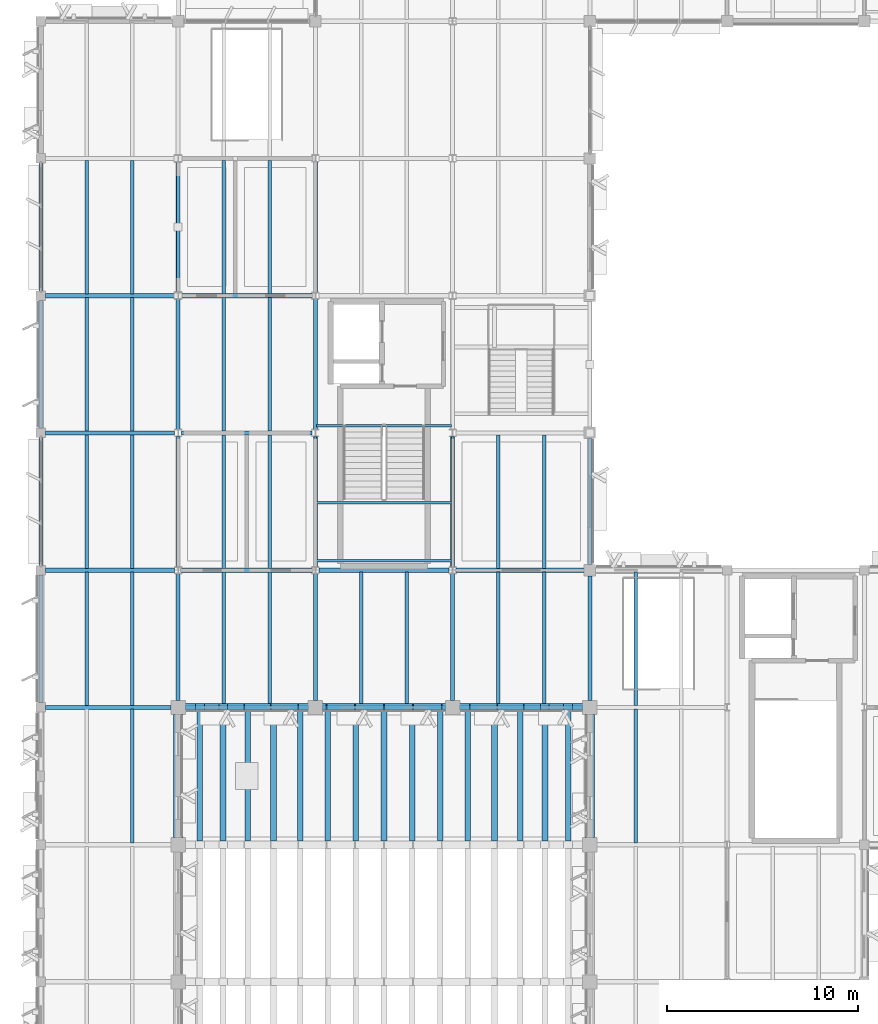
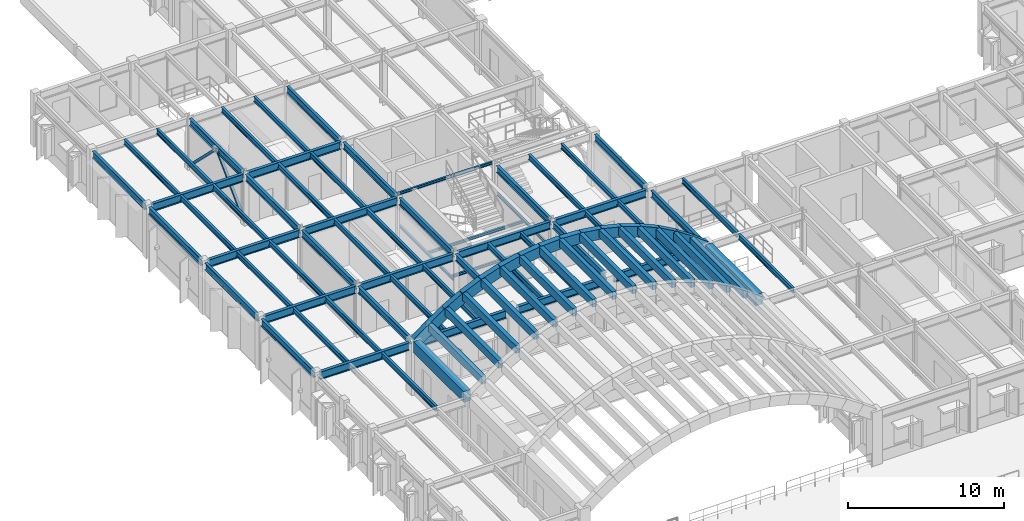
# One storey, part 16 of 85: 91 beams, 2 members.
"""IFC4 building model written with IfcOpenShell, lengths in metres."""

from ifc_helpers import new_model, si_unit, direction, frame, origin, origin_2d, place, context, subcontext, project, spatial, rectangle, hollow_rectangle, i_section, extrude, material, material_profile, profile_set, type_object, element, save


model = new_model("IFC4")

# Units and contexts
model_context = context("Model", 3, precision=1e-05, world=origin(), true_north=direction((0.0, 1.0)))
body_context = subcontext(model_context, "Body", "Model", "MODEL_VIEW")
ifc_project = project(units=[si_unit("LENGTHUNIT", "METRE"), si_unit("AREAUNIT", "SQUARE_METRE"), si_unit("VOLUMEUNIT", "CUBIC_METRE"), si_unit("PLANEANGLEUNIT", "RADIAN"), si_unit("MASSUNIT", "GRAM", prefix="KILO")], contexts=[model_context])

# Site, building, storey
site_placement = place(None, origin())
site = spatial("IfcSite", under=ifc_project, at=site_placement, CompositionType="ELEMENT")
building_placement = place(site_placement, origin())
building = spatial("IfcBuilding", under=site, at=building_placement, Name="Sillqori Civic Hall", CompositionType="ELEMENT")
storey_placement = place(building_placement, frame((0.0, 0.0, 9.89990234375)))
storey = spatial("IfcBuildingStorey", under=building, at=storey_placement, Name="L03", CompositionType="ELEMENT", Elevation=9.89990234375)

# Beams
ifc_material_1 = material(Name="Steel ASTM A992", Category="steel")
ifc_material_profile_1 = material_profile(ifc_material_1, i_section(OverallWidth=0.2099609375, OverallDepth=0.532958984375, WebThickness=0.01025390625, FlangeThickness=0.015625, FilletRadius=0.013916015625, at=origin_2d()), Name="W21X62")
ifc_profile_set_1 = profile_set([ifc_material_profile_1], Name="Steel ASTM A992")
beam_type_1 = type_object("IfcBeamType", Name="BM-W21X62", PredefinedType="BEAM", material=ifc_profile_set_1)
for number, where, z_axis, x_axis, name in (
    (1, (7.199951171875, 43.444091796875, 3.733642578125), (0.0, 1.0, 0.0), (-1.0, 0.0, 0.0), "L03 girder Y 1-6"),
    (2, (7.199951171875, 50.64404296875, 3.753662109375), (0.0, 1.0, 0.0), (-1.0, 0.0, 0.0), "L03 girder Y 1-7"),
    (3, (7.199951171875, 57.843994140625, 3.753662109375), (0.0, 1.0, 0.0), (-1.0, 0.0, 0.0), "L03 girder Y 1-8"),
):
    element("IfcBeam", number, at=place(storey_placement, frame(where, z_axis=z_axis, x_axis=x_axis)), inside=storey, type_object=beam_type_1, Name=name, PredefinedType="BEAM", context=body_context, shape_type="SweptSolid", body=[
        extrude(i_section(OverallWidth=0.2099609375, OverallDepth=0.532958984375, WebThickness=0.01025390625, FlangeThickness=0.015625, FilletRadius=0.013916015625, at=origin_2d()), origin(), (0.0, 0.0, 1.0), 6.7119140625),
    ])
beam_1_placement = place(storey_placement, frame((7.199951171875, 65.0439453125, 3.753662109375), z_axis=(0.0, 1.0, 0.0), x_axis=(-1.0, 0.0, 0.0)))
element("IfcBeam", 4, at=beam_1_placement, inside=storey, type_object=beam_type_1, Name="L03 girder Y 1-9", PredefinedType="BEAM", context=body_context, shape_type="SweptSolid", body=[
    extrude(i_section(OverallWidth=0.2099609375, OverallDepth=0.532958984375, WebThickness=0.01025390625, FlangeThickness=0.015625, FilletRadius=0.013916015625, at=origin_2d()), origin(), (0.0, 0.0, 1.0), 6.712158203125),
])
beam_2_placement = place(storey_placement, frame((14.39990234375, 43.569091796875, 3.733642578125), z_axis=(0.0, 1.0, 0.0), x_axis=(-1.0, 0.0, 0.0)))
element("IfcBeam", 5, at=beam_2_placement, inside=storey, type_object=beam_type_1, Name="L03 girder Y 2-6", PredefinedType="BEAM", context=body_context, shape_type="SweptSolid", body=[
    extrude(i_section(OverallWidth=0.2099609375, OverallDepth=0.532958984375, WebThickness=0.01025390625, FlangeThickness=0.015625, FilletRadius=0.013916015625, at=origin_2d()), origin(), (0.0, 0.0, 1.0), 6.65283203125),
])
beam_3_placement = place(storey_placement, frame((14.39990234375, 50.577880859375, 3.753662109375), z_axis=(0.0, 1.0, 0.0), x_axis=(-1.0, 0.0, 0.0)))
element("IfcBeam", 6, at=beam_3_placement, inside=storey, type_object=beam_type_1, Name="L03 girder Y 2-7", PredefinedType="BEAM", context=body_context, shape_type="SweptSolid", body=[
    extrude(i_section(OverallWidth=0.2099609375, OverallDepth=0.532958984375, WebThickness=0.01025390625, FlangeThickness=0.015625, FilletRadius=0.013916015625, at=origin_2d()), origin(), (0.0, 0.0, 1.0), 6.84423828125),
])
for number, where, z_axis, x_axis, name in (
    (7, (14.39990234375, 57.778076171875, 3.753662109375), (0.0, 1.0, 0.0), (-1.0, 0.0, 0.0), "L03 girder Y 2-8"),
    (8, (14.39990234375, 64.97802734375, 3.753662109375), (0.0, 1.0, 0.0), (-1.0, 0.0, 0.0), "L03 girder Y 2-9"),
):
    element("IfcBeam", number, at=place(storey_placement, frame(where, z_axis=z_axis, x_axis=x_axis)), inside=storey, type_object=beam_type_1, Name=name, PredefinedType="BEAM", context=body_context, shape_type="SweptSolid", body=[
        extrude(i_section(OverallWidth=0.2099609375, OverallDepth=0.532958984375, WebThickness=0.01025390625, FlangeThickness=0.015625, FilletRadius=0.013916015625, at=origin_2d()), origin(), (0.0, 0.0, 1.0), 6.843994140625),
    ])
beam_4_placement = place(storey_placement, frame((21.60009765625, 43.569091796875, 3.733642578125), z_axis=(0.0, 1.0, 0.0), x_axis=(-1.0, 0.0, 0.0)))
element("IfcBeam", 9, at=beam_4_placement, inside=storey, type_object=beam_type_1, Name="L03 girder Y 3-6", PredefinedType="BEAM", context=body_context, shape_type="SweptSolid", body=[
    extrude(i_section(OverallWidth=0.2099609375, OverallDepth=0.532958984375, WebThickness=0.01025390625, FlangeThickness=0.015625, FilletRadius=0.013916015625, at=origin_2d()), origin(), (0.0, 0.0, 1.0), 6.65283203125),
])
beam_5_placement = place(storey_placement, frame((21.60009765625, 50.577880859375, 3.753662109375), z_axis=(0.0, 1.0, 0.0), x_axis=(-1.0, 0.0, 0.0)))
element("IfcBeam", 10, at=beam_5_placement, inside=storey, type_object=beam_type_1, Name="L03 girder Y 3-7", PredefinedType="BEAM", context=body_context, shape_type="SweptSolid", body=[
    extrude(i_section(OverallWidth=0.2099609375, OverallDepth=0.532958984375, WebThickness=0.01025390625, FlangeThickness=0.015625, FilletRadius=0.013916015625, at=origin_2d()), origin(), (0.0, 0.0, 1.0), 6.84423828125),
])
for number, where, z_axis, x_axis, name in (
    (11, (21.60009765625, 57.778076171875, 3.753662109375), (0.0, 1.0, 0.0), (-1.0, 0.0, 0.0), "L03 girder Y 3-8"),
    (12, (21.60009765625, 64.97802734375, 3.753662109375), (0.0, 1.0, 0.0), (-1.0, 0.0, 0.0), "L03 girder Y 3-9"),
):
    element("IfcBeam", number, at=place(storey_placement, frame(where, z_axis=z_axis, x_axis=x_axis)), inside=storey, type_object=beam_type_1, Name=name, PredefinedType="BEAM", context=body_context, shape_type="SweptSolid", body=[
        extrude(i_section(OverallWidth=0.2099609375, OverallDepth=0.532958984375, WebThickness=0.01025390625, FlangeThickness=0.015625, FilletRadius=0.013916015625, at=origin_2d()), origin(), (0.0, 0.0, 1.0), 6.843994140625),
    ])
beam_6_placement = place(storey_placement, frame((28.800048828125, 43.569091796875, 3.733642578125), z_axis=(0.0, 1.0, 0.0), x_axis=(-1.0, 0.0, 0.0)))
element("IfcBeam", 13, at=beam_6_placement, inside=storey, type_object=beam_type_1, Name="L03 girder Y 4-6", PredefinedType="BEAM", context=body_context, shape_type="SweptSolid", body=[
    extrude(i_section(OverallWidth=0.2099609375, OverallDepth=0.532958984375, WebThickness=0.01025390625, FlangeThickness=0.015625, FilletRadius=0.013916015625, at=origin_2d()), origin(), (0.0, 0.0, 1.0), 6.65283203125),
])
beam_7_placement = place(storey_placement, frame((28.800048828125, 50.577880859375, 3.753662109375), z_axis=(0.0, 1.0, 0.0), x_axis=(-1.0, 0.0, 0.0)))
element("IfcBeam", 14, at=beam_7_placement, inside=storey, type_object=beam_type_1, Name="L03 girder Y 4-7", PredefinedType="BEAM", context=body_context, shape_type="SweptSolid", body=[
    extrude(i_section(OverallWidth=0.2099609375, OverallDepth=0.532958984375, WebThickness=0.01025390625, FlangeThickness=0.015625, FilletRadius=0.013916015625, at=origin_2d()), origin(), (0.0, 0.0, 1.0), 6.84423828125),
])
beam_8_placement = place(storey_placement, frame((36.0, 43.569091796875, 3.733642578125), z_axis=(0.0, 1.0, 0.0), x_axis=(-1.0, 0.0, 0.0)))
element("IfcBeam", 15, at=beam_8_placement, inside=storey, type_object=beam_type_1, Name="L03 girder Y 5-6", PredefinedType="BEAM", context=body_context, shape_type="SweptSolid", body=[
    extrude(i_section(OverallWidth=0.2099609375, OverallDepth=0.532958984375, WebThickness=0.01025390625, FlangeThickness=0.015625, FilletRadius=0.013916015625, at=origin_2d()), origin(), (0.0, 0.0, 1.0), 6.536865234375),
])
beam_9_placement = place(storey_placement, frame((36.0, 50.694091796875, 3.753662109375), z_axis=(0.0, 1.0, 0.0), x_axis=(-1.0, 0.0, 0.0)))
element("IfcBeam", 16, at=beam_9_placement, inside=storey, type_object=beam_type_1, Name="L03 girder Y 5-7", PredefinedType="BEAM", context=body_context, shape_type="SweptSolid", body=[
    extrude(i_section(OverallWidth=0.2099609375, OverallDepth=0.532958984375, WebThickness=0.01025390625, FlangeThickness=0.015625, FilletRadius=0.013916015625, at=origin_2d()), origin(), (0.0, 0.0, 1.0), 6.61181640625),
])
ifc_material_profile_2 = material_profile(ifc_material_1, i_section(OverallWidth=0.22802734375, OverallDepth=0.60205078125, WebThickness=0.010498046875, FlangeThickness=0.014892578125, FilletRadius=0.014892578125, at=origin_2d()), Name="W24X68")
ifc_profile_set_2 = profile_set([ifc_material_profile_2], Name="Steel ASTM A992")
beam_type_2 = type_object("IfcBeamType", Name="BM-W24X68", PredefinedType="BEAM", material=ifc_profile_set_2)
beam_10_placement = place(storey_placement, frame((7.444091796875, 43.199951171875, 3.69921875), z_axis=(1.0, 0.0, 0.0), x_axis=(0.0, 1.0, 0.0)))
element("IfcBeam", 17, at=beam_10_placement, inside=storey, type_object=beam_type_2, Name="L03 girder X 1-6", PredefinedType="BEAM", context=body_context, shape_type="SweptSolid", body=[
    extrude(i_section(OverallWidth=0.22802734375, OverallDepth=0.60205078125, WebThickness=0.010498046875, FlangeThickness=0.014892578125, FilletRadius=0.014892578125, at=origin_2d()), origin(), (0.0, 0.0, 1.0), 6.5869140625),
])
for number, where, z_axis, x_axis, name in (
    (18, (7.444091796875, 50.39990234375, 3.69921875), (1.0, 0.0, 0.0), (0.0, 1.0, 0.0), "L03 girder X 1-7"),
    (19, (7.444091796875, 57.60009765625, 3.718994140625), (1.0, 0.0, 0.0), (0.0, 1.0, 0.0), "L03 girder X 1-8"),
    (20, (7.444091796875, 64.800048828125, 3.718994140625), (1.0, 0.0, 0.0), (0.0, 1.0, 0.0), "L03 girder X 1-9"),
):
    element("IfcBeam", number, at=place(storey_placement, frame(where, z_axis=z_axis, x_axis=x_axis)), inside=storey, type_object=beam_type_2, Name=name, PredefinedType="BEAM", context=body_context, shape_type="SweptSolid", body=[
        extrude(i_section(OverallWidth=0.22802734375, OverallDepth=0.60205078125, WebThickness=0.010498046875, FlangeThickness=0.014892578125, FilletRadius=0.014892578125, at=origin_2d()), origin(), (0.0, 0.0, 1.0), 6.775390625),
    ])
beam_11_placement = place(storey_placement, frame((14.76904296875, 43.199951171875, 3.69921875), z_axis=(1.0, 0.0, 0.0), x_axis=(0.0, 1.0, 0.0)))
element("IfcBeam", 21, at=beam_11_placement, inside=storey, type_object=beam_type_2, Name="L03 girder X 2-6", PredefinedType="BEAM", context=body_context, shape_type="SweptSolid", body=[
    extrude(i_section(OverallWidth=0.22802734375, OverallDepth=0.60205078125, WebThickness=0.010498046875, FlangeThickness=0.014892578125, FilletRadius=0.014892578125, at=origin_2d()), origin(), (0.0, 0.0, 1.0), 6.4619140625),
])
for number, where, z_axis, x_axis, name in (
    (22, (14.58056640625, 50.39990234375, 3.69921875), (1.0, 0.0, 0.0), (0.0, 1.0, 0.0), "L03 girder X 2-7"),
    (23, (14.58056640625, 57.60009765625, 3.718994140625), (1.0, 0.0, 0.0), (0.0, 1.0, 0.0), "L03 girder X 2-8"),
    (24, (14.58056640625, 64.800048828125, 3.718994140625), (1.0, 0.0, 0.0), (0.0, 1.0, 0.0), "L03 girder X 2-9"),
):
    element("IfcBeam", number, at=place(storey_placement, frame(where, z_axis=z_axis, x_axis=x_axis)), inside=storey, type_object=beam_type_2, Name=name, PredefinedType="BEAM", context=body_context, shape_type="SweptSolid", body=[
        extrude(i_section(OverallWidth=0.22802734375, OverallDepth=0.60205078125, WebThickness=0.010498046875, FlangeThickness=0.014892578125, FilletRadius=0.014892578125, at=origin_2d()), origin(), (0.0, 0.0, 1.0), 6.8388671875),
    ])
beam_12_placement = place(storey_placement, frame((21.968994140625, 43.199951171875, 3.69921875), z_axis=(1.0, 0.0, 0.0), x_axis=(0.0, 1.0, 0.0)))
element("IfcBeam", 25, at=beam_12_placement, inside=storey, type_object=beam_type_2, Name="L03 girder X 3-6", PredefinedType="BEAM", context=body_context, shape_type="SweptSolid", body=[
    extrude(i_section(OverallWidth=0.22802734375, OverallDepth=0.60205078125, WebThickness=0.010498046875, FlangeThickness=0.014892578125, FilletRadius=0.014892578125, at=origin_2d()), origin(), (0.0, 0.0, 1.0), 6.4619140625),
])
beam_13_placement = place(storey_placement, frame((21.780517578125, 50.39990234375, 3.69921875), z_axis=(1.0, 0.0, 0.0), x_axis=(0.0, 1.0, 0.0)))
element("IfcBeam", 26, at=beam_13_placement, inside=storey, type_object=beam_type_2, Name="L03 girder X 3-7", PredefinedType="BEAM", context=body_context, shape_type="SweptSolid", body=[
    extrude(i_section(OverallWidth=0.22802734375, OverallDepth=0.60205078125, WebThickness=0.010498046875, FlangeThickness=0.014892578125, FilletRadius=0.014892578125, at=origin_2d()), origin(), (0.0, 0.0, 1.0), 6.8388671875),
])
beam_14_placement = place(storey_placement, frame((29.1689453125, 43.199951171875, 3.69921875), z_axis=(1.0, 0.0, 0.0), x_axis=(0.0, 1.0, 0.0)))
element("IfcBeam", 27, at=beam_14_placement, inside=storey, type_object=beam_type_2, Name="L03 girder X 4-6", PredefinedType="BEAM", context=body_context, shape_type="SweptSolid", body=[
    extrude(i_section(OverallWidth=0.22802734375, OverallDepth=0.60205078125, WebThickness=0.010498046875, FlangeThickness=0.014892578125, FilletRadius=0.014892578125, at=origin_2d()), origin(), (0.0, 0.0, 1.0), 6.462158203125),
])
beam_15_placement = place(storey_placement, frame((28.98046875, 50.39990234375, 3.69921875), z_axis=(1.0, 0.0, 0.0), x_axis=(0.0, 1.0, 0.0)))
element("IfcBeam", 28, at=beam_15_placement, inside=storey, type_object=beam_type_2, Name="L03 girder X 4-7", PredefinedType="BEAM", context=body_context, shape_type="SweptSolid", body=[
    extrude(i_section(OverallWidth=0.22802734375, OverallDepth=0.60205078125, WebThickness=0.010498046875, FlangeThickness=0.014892578125, FilletRadius=0.014892578125, at=origin_2d()), origin(), (0.0, 0.0, 1.0), 6.7255859375),
])

# Members
ifc_material_2 = material(Name="Steel ASTM A500 Grade C", Category="steel")
ifc_material_profile_3 = material_profile(ifc_material_2, hollow_rectangle(XDim=0.199951171875, YDim=0.199951171875, WallThickness=0.010009765625, InnerFilletRadius=0.010009765625, OuterFilletRadius=0.02001953125, at=origin_2d()), Name="HSS200X200X10")
ifc_profile_set_3 = profile_set([ifc_material_profile_3], Name="Steel ASTM A500 Grade C")
member_type = type_object("IfcMemberType", Name="BR-HSS200", PredefinedType="BRACE", material=ifc_profile_set_3)
member_1_placement = place(storey_placement, frame((14.39990234375, 64.800048828125, 0.150146484375), z_axis=(0.0, 0.712015061443, 0.702164191823), x_axis=(-1.0, 0.0, 0.0)))
element("IfcMember", 29, at=member_1_placement, inside=storey, type_object=member_type, Name="L03 seismic chevron brace L Y2-9", PredefinedType="BRACE", context=body_context, shape_type="SweptSolid", body=[
    extrude(hollow_rectangle(XDim=0.199951171875, YDim=0.199951171875, WallThickness=0.010009765625, InnerFilletRadius=0.010009765625, OuterFilletRadius=0.02001953125, at=origin_2d()), origin(), (0.0, 0.0, 1.0), 5.055908203125),
])
member_2_placement = place(storey_placement, frame((14.39990234375, 72.0, 0.150146484375), z_axis=(0.0, -0.712038868151, 0.702140050305), x_axis=(1.0, 0.0, 0.0)))
element("IfcMember", 30, at=member_2_placement, inside=storey, type_object=member_type, Name="L03 seismic chevron brace R Y2-9", PredefinedType="BRACE", context=body_context, shape_type="SweptSolid", body=[
    extrude(hollow_rectangle(XDim=0.199951171875, YDim=0.199951171875, WallThickness=0.010009765625, InnerFilletRadius=0.010009765625, OuterFilletRadius=0.02001953125, at=origin_2d()), origin(), (0.0, 0.0, 1.0), 5.05615234375),
])

# Beams
ifc_material_profile_4 = material_profile(ifc_material_1, i_section(OverallWidth=0.177978515625, OverallDepth=0.404052734375, WebThickness=0.007568359375, FlangeThickness=0.010986328125, FilletRadius=0.011962890625, at=origin_2d()), Name="W16X36")
ifc_profile_set_4 = profile_set([ifc_material_profile_4], Name="Steel ASTM A992")
beam_type_3 = type_object("IfcBeamType", Name="JS-W16X36", PredefinedType="JOIST", material=ifc_profile_set_4)
for number, where, z_axis, x_axis, name in (
    (31, (12.0, 36.094970703125, 3.798095703125), (0.0, 1.0, 0.0), (-1.0, 0.0, 0.0), "L03 composite joist 1-5.2"),
    (32, (9.60009765625, 43.294921875, 3.798095703125), (0.0, 1.0, 0.0), (-1.0, 0.0, 0.0), "L03 composite joist 1-6.1"),
    (33, (12.0, 43.294921875, 3.798095703125), (0.0, 1.0, 0.0), (-1.0, 0.0, 0.0), "L03 composite joist 1-6.2"),
):
    element("IfcBeam", number, at=place(storey_placement, frame(where, z_axis=z_axis, x_axis=x_axis)), inside=storey, type_object=beam_type_3, Name=name, PredefinedType="JOIST", context=body_context, shape_type="SweptSolid", body=[
        extrude(i_section(OverallWidth=0.177978515625, OverallDepth=0.404052734375, WebThickness=0.007568359375, FlangeThickness=0.010986328125, FilletRadius=0.011962890625, at=origin_2d()), origin(), (0.0, 0.0, 1.0), 7.010009765625),
    ])
for number, where, z_axis, x_axis, name in (
    (34, (9.60009765625, 50.4951171875, 3.818115234375), (0.0, 1.0, 0.0), (-1.0, 0.0, 0.0), "L03 composite joist 1-7.1"),
    (35, (12.0, 50.4951171875, 3.818115234375), (0.0, 1.0, 0.0), (-1.0, 0.0, 0.0), "L03 composite joist 1-7.2"),
):
    element("IfcBeam", number, at=place(storey_placement, frame(where, z_axis=z_axis, x_axis=x_axis)), inside=storey, type_object=beam_type_3, Name=name, PredefinedType="JOIST", context=body_context, shape_type="SweptSolid", body=[
        extrude(i_section(OverallWidth=0.177978515625, OverallDepth=0.404052734375, WebThickness=0.007568359375, FlangeThickness=0.010986328125, FilletRadius=0.011962890625, at=origin_2d()), origin(), (0.0, 0.0, 1.0), 7.009765625),
    ])
for number, where, z_axis, x_axis, name in (
    (36, (9.60009765625, 57.695068359375, 3.818115234375), (0.0, 1.0, 0.0), (-1.0, 0.0, 0.0), "L03 composite joist 1-8.1"),
    (37, (12.0, 57.695068359375, 3.818115234375), (0.0, 1.0, 0.0), (-1.0, 0.0, 0.0), "L03 composite joist 1-8.2"),
    (38, (9.60009765625, 64.89501953125, 3.818115234375), (0.0, 1.0, 0.0), (-1.0, 0.0, 0.0), "L03 composite joist 1-9.1"),
    (39, (12.0, 64.89501953125, 3.818115234375), (0.0, 1.0, 0.0), (-1.0, 0.0, 0.0), "L03 composite joist 1-9.2"),
    (40, (16.800048828125, 43.294921875, 3.798095703125), (0.0, 1.0, 0.0), (-1.0, 0.0, 0.0), "L03 composite joist 2-6.1"),
    (41, (19.199951171875, 43.294921875, 3.798095703125), (0.0, 1.0, 0.0), (-1.0, 0.0, 0.0), "L03 composite joist 2-6.2"),
):
    element("IfcBeam", number, at=place(storey_placement, frame(where, z_axis=z_axis, x_axis=x_axis)), inside=storey, type_object=beam_type_3, Name=name, PredefinedType="JOIST", context=body_context, shape_type="SweptSolid", body=[
        extrude(i_section(OverallWidth=0.177978515625, OverallDepth=0.404052734375, WebThickness=0.007568359375, FlangeThickness=0.010986328125, FilletRadius=0.011962890625, at=origin_2d()), origin(), (0.0, 0.0, 1.0), 7.010009765625),
    ])
for number, where, z_axis, x_axis, name in (
    (42, (16.800048828125, 50.4951171875, 3.818115234375), (0.0, 1.0, 0.0), (-1.0, 0.0, 0.0), "L03 composite joist 2-7.1"),
    (43, (19.199951171875, 50.4951171875, 3.818115234375), (0.0, 1.0, 0.0), (-1.0, 0.0, 0.0), "L03 composite joist 2-7.2"),
):
    element("IfcBeam", number, at=place(storey_placement, frame(where, z_axis=z_axis, x_axis=x_axis)), inside=storey, type_object=beam_type_3, Name=name, PredefinedType="JOIST", context=body_context, shape_type="SweptSolid", body=[
        extrude(i_section(OverallWidth=0.177978515625, OverallDepth=0.404052734375, WebThickness=0.007568359375, FlangeThickness=0.010986328125, FilletRadius=0.011962890625, at=origin_2d()), origin(), (0.0, 0.0, 1.0), 7.009765625),
    ])
for number, where, z_axis, x_axis, name in (
    (44, (16.800048828125, 57.695068359375, 3.818115234375), (0.0, 1.0, 0.0), (-1.0, 0.0, 0.0), "L03 composite joist 2-8.1"),
    (45, (19.199951171875, 57.695068359375, 3.818115234375), (0.0, 1.0, 0.0), (-1.0, 0.0, 0.0), "L03 composite joist 2-8.2"),
    (46, (16.800048828125, 64.89501953125, 3.818115234375), (0.0, 1.0, 0.0), (-1.0, 0.0, 0.0), "L03 composite joist 2-9.1"),
    (47, (19.199951171875, 64.89501953125, 3.818115234375), (0.0, 1.0, 0.0), (-1.0, 0.0, 0.0), "L03 composite joist 2-9.2"),
    (48, (24.0, 43.294921875, 3.798095703125), (0.0, 1.0, 0.0), (-1.0, 0.0, 0.0), "L03 composite joist 3-6.1"),
    (49, (26.39990234375, 43.294921875, 3.798095703125), (0.0, 1.0, 0.0), (-1.0, 0.0, 0.0), "L03 composite joist 3-6.2"),
    (50, (31.199951171875, 43.294921875, 3.798095703125), (0.0, 1.0, 0.0), (-1.0, 0.0, 0.0), "L03 composite joist 4-6.1"),
    (51, (33.60009765625, 43.294921875, 3.798095703125), (0.0, 1.0, 0.0), (-1.0, 0.0, 0.0), "L03 composite joist 4-6.2"),
):
    element("IfcBeam", number, at=place(storey_placement, frame(where, z_axis=z_axis, x_axis=x_axis)), inside=storey, type_object=beam_type_3, Name=name, PredefinedType="JOIST", context=body_context, shape_type="SweptSolid", body=[
        extrude(i_section(OverallWidth=0.177978515625, OverallDepth=0.404052734375, WebThickness=0.007568359375, FlangeThickness=0.010986328125, FilletRadius=0.011962890625, at=origin_2d()), origin(), (0.0, 0.0, 1.0), 7.010009765625),
    ])
for number, where, z_axis, x_axis, name in (
    (52, (31.199951171875, 50.4951171875, 3.818115234375), (0.0, 1.0, 0.0), (-1.0, 0.0, 0.0), "L03 composite joist 4-7.1"),
    (53, (33.60009765625, 50.4951171875, 3.818115234375), (0.0, 1.0, 0.0), (-1.0, 0.0, 0.0), "L03 composite joist 4-7.2"),
):
    element("IfcBeam", number, at=place(storey_placement, frame(where, z_axis=z_axis, x_axis=x_axis)), inside=storey, type_object=beam_type_3, Name=name, PredefinedType="JOIST", context=body_context, shape_type="SweptSolid", body=[
        extrude(i_section(OverallWidth=0.177978515625, OverallDepth=0.404052734375, WebThickness=0.007568359375, FlangeThickness=0.010986328125, FilletRadius=0.011962890625, at=origin_2d()), origin(), (0.0, 0.0, 1.0), 7.009765625),
    ])
for number, where, z_axis, x_axis, name in (
    (54, (38.39990234375, 36.094970703125, 3.798095703125), (0.0, 1.0, 0.0), (-1.0, 0.0, 0.0), "L03 composite joist 5-5.1"),
    (55, (38.39990234375, 43.294921875, 3.798095703125), (0.0, 1.0, 0.0), (-1.0, 0.0, 0.0), "L03 composite joist 5-6.1"),
):
    element("IfcBeam", number, at=place(storey_placement, frame(where, z_axis=z_axis, x_axis=x_axis)), inside=storey, type_object=beam_type_3, Name=name, PredefinedType="JOIST", context=body_context, shape_type="SweptSolid", body=[
        extrude(i_section(OverallWidth=0.177978515625, OverallDepth=0.404052734375, WebThickness=0.007568359375, FlangeThickness=0.010986328125, FilletRadius=0.011962890625, at=origin_2d()), origin(), (0.0, 0.0, 1.0), 7.010009765625),
    ])
ifc_material_profile_5 = material_profile(ifc_material_1, i_section(OverallWidth=0.133056640625, OverallDepth=0.20703125, WebThickness=0.005859375, FlangeThickness=0.00830078125, FilletRadius=0.008056640625, at=origin_2d()), Name="W8X18")
ifc_profile_set_5 = profile_set([ifc_material_profile_5], Name="Steel ASTM A992")
beam_type_4 = type_object("IfcBeamType", Name="LN-W8X18", PredefinedType="LINTEL", material=ifc_profile_set_5)
for number, where, z_axis, x_axis, name in (
    (56, (21.60009765625, 50.577880859375, 1.78271484375), (0.0, 1.0, 0.0), (-1.0, 0.0, 0.0), "L03 grid 3 stair landing stringer 1"),
    (57, (28.800048828125, 50.577880859375, 1.78271484375), (0.0, 1.0, 0.0), (-1.0, 0.0, 0.0), "L03 grid 4 stair landing stringer 1"),
):
    element("IfcBeam", number, at=place(storey_placement, frame(where, z_axis=z_axis, x_axis=x_axis)), inside=storey, type_object=beam_type_4, Name=name, PredefinedType="LINTEL", context=body_context, shape_type="SweptSolid", body=[
        extrude(i_section(OverallWidth=0.133056640625, OverallDepth=0.20703125, WebThickness=0.005859375, FlangeThickness=0.00830078125, FilletRadius=0.008056640625, at=origin_2d()), origin(), (0.0, 0.0, 1.0), 6.84423828125),
    ])
for number, where, z_axis, x_axis, name in (
    (58, (21.64990234375, 50.89501953125, 1.78271484375), (1.0, 0.0, 0.0), (0.0, 1.0, 0.0), "L03 C4 stair half-landing steel ledger 1.1"),
    (59, (21.64990234375, 53.949951171875, 1.78271484375), (1.0, 0.0, 0.0), (0.0, 1.0, 0.0), "L03 C4 stair half-landing steel ledger 1.2"),
    (60, (21.64990234375, 57.969970703125, 3.922607421875), (1.0, 0.0, 0.0), (0.0, 1.0, 0.0), "L03 C4 stair upper arrival steel trimmer"),
):
    element("IfcBeam", number, at=place(storey_placement, frame(where, z_axis=z_axis, x_axis=x_axis)), inside=storey, type_object=beam_type_4, Name=name, PredefinedType="LINTEL", context=body_context, shape_type="SweptSolid", body=[
        extrude(i_section(OverallWidth=0.133056640625, OverallDepth=0.20703125, WebThickness=0.005859375, FlangeThickness=0.00830078125, FilletRadius=0.008056640625, at=origin_2d()), origin(), (0.0, 0.0, 1.0), 7.10009765625),
    ])
ifc_material_3 = material(Name="Concrete C35/45 (H35)", Category="concrete")
ifc_material_profile_6 = material_profile(ifc_material_3, rectangle(XDim=0.300048828125, YDim=0.60009765625, at=origin_2d()), Name="RC 300x600")
ifc_profile_set_6 = profile_set([ifc_material_profile_6], Name="Concrete C35/45 (H35)")
beam_type_5 = type_object("IfcBeamType", Name="VB-CB-V1", PredefinedType="BEAM", material=ifc_profile_set_6)
for number, where, z_axis, x_axis, name in (
    (61, (15.53759765625, 36.179931640625, 4.724365234375), (0.0, 1.0, 0.0), (-1.0, 0.0, 0.0), "Barrel-vault coffer beam 01.3"),
    (62, (16.75830078125, 36.179931640625, 5.564453125), (0.0, 1.0, 0.0), (-1.0, 0.0, 0.0), "Barrel-vault coffer beam 02.3"),
    (63, (18.051513671875, 36.179931640625, 6.28759765625), (0.0, 1.0, 0.0), (-1.0, 0.0, 0.0), "Barrel-vault coffer beam 03.3"),
    (64, (19.406005859375, 36.179931640625, 6.88818359375), (0.0, 1.0, 0.0), (-1.0, 0.0, 0.0), "Barrel-vault coffer beam 04.3"),
    (65, (20.810302734375, 36.179931640625, 7.360595703125), (0.0, 1.0, 0.0), (-1.0, 0.0, 0.0), "Barrel-vault coffer beam 05.3"),
    (66, (22.25244140625, 36.179931640625, 7.700927734375), (0.0, 1.0, 0.0), (-1.0, 0.0, 0.0), "Barrel-vault coffer beam 06.3"),
    (67, (23.719970703125, 36.179931640625, 7.906494140625), (0.0, 1.0, 0.0), (-1.0, 0.0, 0.0), "Barrel-vault coffer beam 07.3"),
    (68, (25.199951171875, 36.179931640625, 7.97509765625), (0.0, 1.0, 0.0), (-1.0, 0.0, 0.0), "Barrel-vault coffer beam 08.3"),
    (69, (26.68017578125, 36.179931640625, 7.906494140625), (0.0, 1.0, 0.0), (-1.0, 0.0, 0.0), "Barrel-vault coffer beam 09.3"),
    (70, (28.1474609375, 36.179931640625, 7.700927734375), (0.0, 1.0, 0.0), (-1.0, 0.0, 0.0), "Barrel-vault coffer beam 10.3"),
    (71, (29.589599609375, 36.179931640625, 7.360595703125), (0.0, 1.0, 0.0), (-1.0, 0.0, 0.0), "Barrel-vault coffer beam 11.3"),
    (72, (30.993896484375, 36.179931640625, 6.88818359375), (0.0, 1.0, 0.0), (-1.0, 0.0, 0.0), "Barrel-vault coffer beam 12.3"),
    (73, (32.348388671875, 36.179931640625, 6.28759765625), (0.0, 1.0, 0.0), (-1.0, 0.0, 0.0), "Barrel-vault coffer beam 13.3"),
    (74, (33.6416015625, 36.179931640625, 5.564453125), (0.0, 1.0, 0.0), (-1.0, 0.0, 0.0), "Barrel-vault coffer beam 14.3"),
    (75, (34.8623046875, 36.179931640625, 4.724365234375), (0.0, 1.0, 0.0), (-1.0, 0.0, 0.0), "Barrel-vault coffer beam 15.3"),
):
    element("IfcBeam", number, at=place(storey_placement, frame(where, z_axis=z_axis, x_axis=x_axis)), inside=storey, type_object=beam_type_5, Name=name, PredefinedType="BEAM", context=body_context, shape_type="SweptSolid", body=[
        extrude(rectangle(XDim=0.300048828125, YDim=0.60009765625, at=origin_2d()), origin(), (0.0, 0.0, 1.0), 6.840087890625),
    ])
ifc_material_profile_7 = material_profile(ifc_material_3, rectangle(XDim=0.39990234375, YDim=0.800048828125, at=origin_2d()), Name="RC 400x800")
ifc_profile_set_7 = profile_set([ifc_material_profile_7], Name="Concrete C35/45 (H35)")
beam_type_6 = type_object("IfcBeamType", Name="VB-RB-V1", PredefinedType="BEAM", material=ifc_profile_set_7)
beam_16_placement = place(storey_placement, frame((14.449951171875, 43.199951171875, 3.820068359375), z_axis=(0.803988572723, 0.0, 0.594644746829), x_axis=(0.0, 1.0, 0.0)))
element("IfcBeam", 76, at=beam_16_placement, inside=storey, type_object=beam_type_6, Name="Barrel-vault transverse arch rib 4.01", PredefinedType="BEAM", context=body_context, shape_type="SweptSolid", body=[
    extrude(rectangle(XDim=0.39990234375, YDim=0.800048828125, at=origin_2d()), origin(), (0.0, 0.0, 1.0), 1.352783203125),
])
for number, where, z_axis, x_axis, name in (
    (77, (15.53759765625, 43.199951171875, 4.62451171875), (0.823849572316, 0.0, 0.566808505754), (0.0, 1.0, 0.0), "Barrel-vault transverse arch rib 4.02"),
    (78, (16.75830078125, 43.199951171875, 5.46435546875), (0.872739110613, 0.0, 0.488186895365), (0.0, 1.0, 0.0), "Barrel-vault transverse arch rib 4.03"),
    (79, (18.051513671875, 43.199951171875, 6.187744140625), (0.914225582682, 0.0, 0.405205607032), (0.0, 1.0, 0.0), "Barrel-vault transverse arch rib 4.04"),
    (80, (19.406005859375, 43.199951171875, 6.7880859375), (0.947806353806, 0.0, 0.318846539397), (0.0, 1.0, 0.0), "Barrel-vault transverse arch rib 4.05"),
    (81, (20.810302734375, 43.199951171875, 7.260498046875), (0.973228853638, 0.0, 0.22983820058), (0.0, 1.0, 0.0), "Barrel-vault transverse arch rib 4.06"),
):
    element("IfcBeam", number, at=place(storey_placement, frame(where, z_axis=z_axis, x_axis=x_axis)), inside=storey, type_object=beam_type_6, Name=name, PredefinedType="BEAM", context=body_context, shape_type="SweptSolid", body=[
        extrude(rectangle(XDim=0.39990234375, YDim=0.800048828125, at=origin_2d()), origin(), (0.0, 0.0, 1.0), 1.481689453125),
    ])
beam_17_placement = place(storey_placement, frame((22.25244140625, 43.199951171875, 7.60107421875), z_axis=(0.990353959017, 0.0, 0.138560585516), x_axis=(0.0, 1.0, 0.0)))
element("IfcBeam", 82, at=beam_17_placement, inside=storey, type_object=beam_type_6, Name="Barrel-vault transverse arch rib 4.07", PredefinedType="BEAM", context=body_context, shape_type="SweptSolid", body=[
    extrude(rectangle(XDim=0.39990234375, YDim=0.800048828125, at=origin_2d()), origin(), (0.0, 0.0, 1.0), 1.48193359375),
])
beam_18_placement = place(storey_placement, frame((23.719970703125, 43.199951171875, 7.806396484375), z_axis=(0.998927365938, 0.0, 0.04630461726), x_axis=(0.0, 1.0, 0.0)))
element("IfcBeam", 83, at=beam_18_placement, inside=storey, type_object=beam_type_6, Name="Barrel-vault transverse arch rib 4.08", PredefinedType="BEAM", context=body_context, shape_type="SweptSolid", body=[
    extrude(rectangle(XDim=0.39990234375, YDim=0.800048828125, at=origin_2d()), origin(), (0.0, 0.0, 1.0), 1.481689453125),
])
beam_19_placement = place(storey_placement, frame((25.199951171875, 43.199951171875, 7.875), z_axis=(0.99892771917, 0.0, -0.046296996386), x_axis=(0.0, 1.0, 0.0)))
element("IfcBeam", 84, at=beam_19_placement, inside=storey, type_object=beam_type_6, Name="Barrel-vault transverse arch rib 4.09", PredefinedType="BEAM", context=body_context, shape_type="SweptSolid", body=[
    extrude(rectangle(XDim=0.39990234375, YDim=0.800048828125, at=origin_2d()), origin(), (0.0, 0.0, 1.0), 1.48193359375),
])
for number, where, z_axis, x_axis, name in (
    (85, (26.68017578125, 43.199951171875, 7.806396484375), (0.990350795069, 0.0, -0.138583197779), (0.0, 1.0, 0.0), "Barrel-vault transverse arch rib 4.10"),
    (86, (28.1474609375, 43.199951171875, 7.60107421875), (0.973228853638, 0.0, -0.22983820058), (0.0, 1.0, 0.0), "Barrel-vault transverse arch rib 4.11"),
    (87, (29.589599609375, 43.199951171875, 7.260498046875), (0.947806353806, 0.0, -0.318846539397), (0.0, 1.0, 0.0), "Barrel-vault transverse arch rib 4.12"),
    (88, (30.993896484375, 43.199951171875, 6.7880859375), (0.914225582682, 0.0, -0.405205607032), (0.0, 1.0, 0.0), "Barrel-vault transverse arch rib 4.13"),
    (89, (32.348388671875, 43.199951171875, 6.187744140625), (0.872739110613, 0.0, -0.488186895365), (0.0, 1.0, 0.0), "Barrel-vault transverse arch rib 4.14"),
    (90, (33.6416015625, 43.199951171875, 5.46435546875), (0.823849572316, 0.0, -0.566808505754), (0.0, 1.0, 0.0), "Barrel-vault transverse arch rib 4.15"),
):
    element("IfcBeam", number, at=place(storey_placement, frame(where, z_axis=z_axis, x_axis=x_axis)), inside=storey, type_object=beam_type_6, Name=name, PredefinedType="BEAM", context=body_context, shape_type="SweptSolid", body=[
        extrude(rectangle(XDim=0.39990234375, YDim=0.800048828125, at=origin_2d()), origin(), (0.0, 0.0, 1.0), 1.481689453125),
    ])
beam_20_placement = place(storey_placement, frame((34.8623046875, 43.199951171875, 4.62451171875), z_axis=(0.803988572723, 0.0, -0.594644746829), x_axis=(0.0, 1.0, 0.0)))
element("IfcBeam", 91, at=beam_20_placement, inside=storey, type_object=beam_type_6, Name="Barrel-vault transverse arch rib 4.16", PredefinedType="BEAM", context=body_context, shape_type="SweptSolid", body=[
    extrude(rectangle(XDim=0.39990234375, YDim=0.800048828125, at=origin_2d()), origin(), (0.0, 0.0, 1.0), 1.352783203125),
])
ifc_material_profile_8 = material_profile(ifc_material_3, rectangle(XDim=0.5, YDim=0.85009765625, at=origin_2d()), Name="RC 500x850")
ifc_profile_set_8 = profile_set([ifc_material_profile_8], Name="Concrete C35/45 (H35)")
beam_type_7 = type_object("IfcBeamType", Name="VB-RG-V1", PredefinedType="BEAM", material=ifc_profile_set_8)
for number, where, z_axis, x_axis, name in (
    (92, (14.39990234375, 36.364990234375, 3.775146484375), (0.0, 1.0, 0.0), (-1.0, 0.0, 0.0), "Vault springing ring beam 2-5"),
    (93, (36.0, 36.364990234375, 3.775146484375), (0.0, 1.0, 0.0), (-1.0, 0.0, 0.0), "Vault springing ring beam 5-5"),
):
    element("IfcBeam", number, at=place(storey_placement, frame(where, z_axis=z_axis, x_axis=x_axis)), inside=storey, type_object=beam_type_7, Name=name, PredefinedType="BEAM", context=body_context, shape_type="SweptSolid", body=[
        extrude(rectangle(XDim=0.5, YDim=0.85009765625, at=origin_2d()), origin(), (0.0, 0.0, 1.0), 6.469970703125),
    ])

save(model, "model.ifc")
